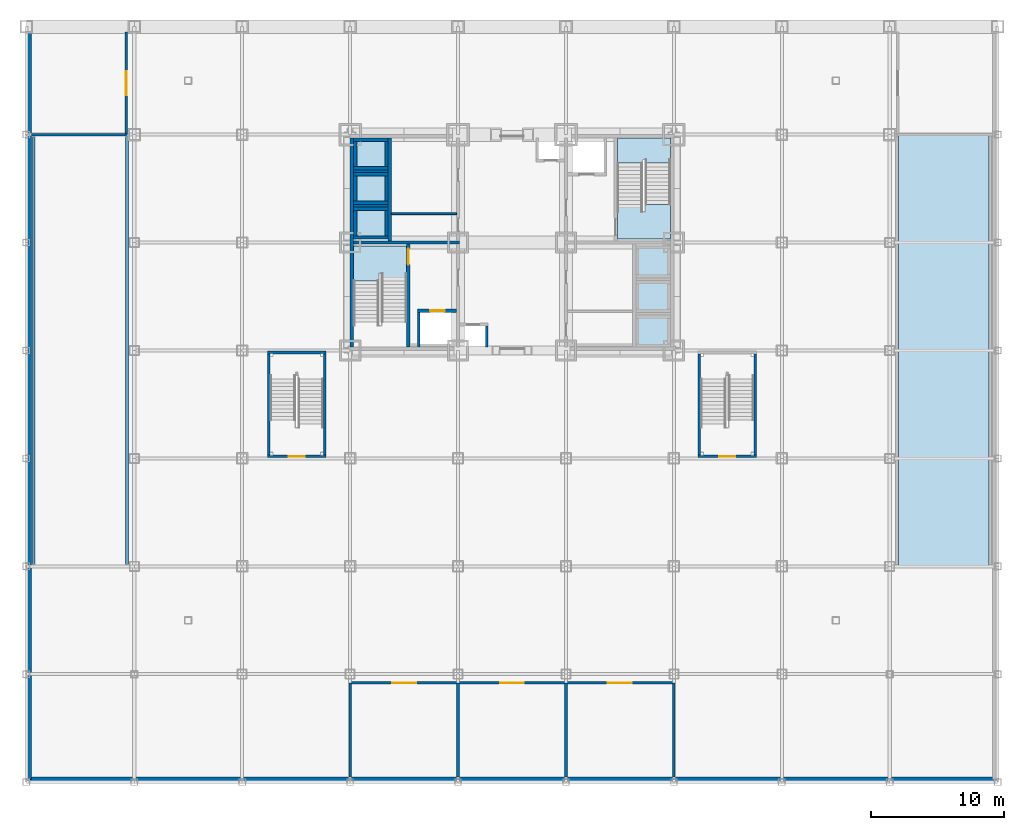
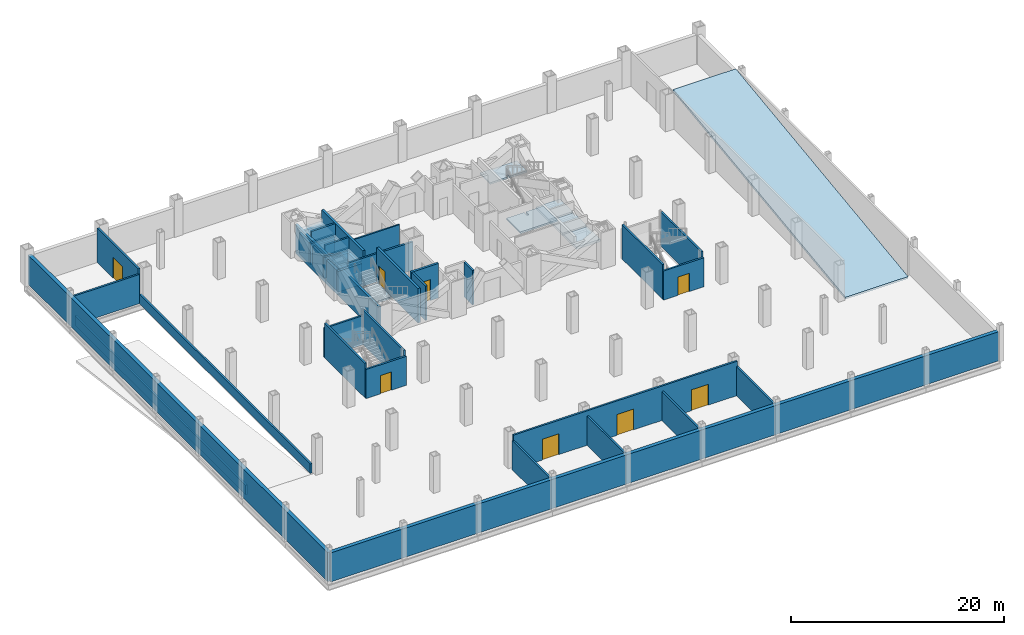
# One storey, part 11 of 14: 40 walls, 10 slabs, 8 doors, 8 openings, 2 elements without a shape of their own.
"""IFC4 building model written with IfcOpenShell, lengths in metres."""

from ifc_helpers import new_model, si_unit, direction, frame, frame_2d, origin, place, context, subcontext, project, spatial, polyline, rectangle, outline, extrude, material, layer, layer_set, type_object, element, fill, aggregate, save


model = new_model("IFC4")

# Units and contexts
model_context = context("Model", 3, precision=1e-05, world=origin(), true_north=direction((0.0, 1.0)))
body_context = subcontext(model_context, "Body", "Model", "MODEL_VIEW")
ifc_project = project(units=[si_unit("LENGTHUNIT", "METRE"), si_unit("AREAUNIT", "SQUARE_METRE"), si_unit("VOLUMEUNIT", "CUBIC_METRE"), si_unit("PLANEANGLEUNIT", "RADIAN"), si_unit("MASSUNIT", "GRAM", prefix="KILO")], contexts=[model_context])

# Site, building, storey
site_placement = place(None, origin())
site = spatial("IfcSite", under=ifc_project, at=site_placement, CompositionType="ELEMENT")
building_placement = place(site_placement, origin())
building = spatial("IfcBuilding", under=site, at=building_placement, Name="Kopane Lantern Tower", CompositionType="ELEMENT")
storey_placement = place(building_placement, frame((0.0, 0.0, -4.199951171875)))
storey = spatial("IfcBuildingStorey", under=building, at=storey_placement, Name="L-01", CompositionType="ELEMENT", Elevation=-4.199951171875)

# Slabs
ifc_material_1 = material(Name="Concrete C40/50", Category="concrete")
ifc_layer_1 = layer(ifc_material_1, 0.25)
ifc_layer_set_1 = layer_set([ifc_layer_1], Name="Concrete C40/50")
slab_type_1 = type_object("IfcSlabType", Name="CAR RAMP SLAB 250", PredefinedType="FLOOR", material=ifc_layer_set_1)
slab_1_placement = place(storey_placement, frame((57.35009765625, 40.5, 4.199951171875), z_axis=(0.0, -0.128552939869, 0.991702647799), x_axis=(1.0, 0.0, 0.0)))
element("IfcSlab", 1, at=slab_1_placement, inside=storey, type_object=slab_type_1, Name="Car park ramp slab L00", PredefinedType="FLOOR", context=body_context, shape_type="SweptSolid", body=[
    extrude(outline(polyline([(0.0, 0.0), (6.7998046875, 0.0), (6.7998046875, -32.67098501316835), (0.0, -32.67098501316835), (0.0, 0.0)])), origin(), (0.0, 0.0, -1.0), 0.25),
])
ifc_material_2 = material(Name="Concrete C40/50", Category="concrete")
ifc_layer_2 = layer(ifc_material_2, 0.300048828125)
ifc_layer_set_2 = layer_set([ifc_layer_2], Name="LIFT PIT SLAB 300")
slab_type_2 = type_object("IfcSlabType", Name="LIFT PIT SLAB 300", PredefinedType="FLOOR", material=ifc_layer_set_2)
slab_2_placement = place(storey_placement, frame((0.0, 0.0, 2.39990234375)))
element("IfcSlab", 2, at=slab_2_placement, inside=storey, type_object=slab_type_2, Name="Lift pit slab LH1", PredefinedType="FLOOR", context=body_context, shape_type="SweptSolid", body=[
    extrude(outline(polyline([(16.449951171875, 32.64990234375), (19.050048828125, 32.64990234375), (19.050048828125, 35.050048828125), (16.449951171875, 35.050048828125), (16.449951171875, 32.64990234375)])), origin(), (0.0, 0.0, 1.0), 0.300048828125),
])
slab_3_placement = place(storey_placement, frame((0.0, 0.0, 2.39990234375)))
element("IfcSlab", 3, at=slab_3_placement, inside=storey, type_object=slab_type_2, Name="Lift pit slab LH2", PredefinedType="FLOOR", context=body_context, shape_type="SweptSolid", body=[
    extrude(outline(polyline([(16.449951171875, 35.25), (19.050048828125, 35.25), (19.050048828125, 37.64990234375), (16.449951171875, 37.64990234375), (16.449951171875, 35.25)])), origin(), (0.0, 0.0, 1.0), 0.300048828125),
])
slab_4_placement = place(storey_placement, frame((0.0, 0.0, 2.39990234375)))
element("IfcSlab", 4, at=slab_4_placement, inside=storey, type_object=slab_type_2, Name="Lift pit slab LH3", PredefinedType="FLOOR", context=body_context, shape_type="SweptSolid", body=[
    extrude(outline(polyline([(16.449951171875, 37.85009765625), (19.050048828125, 37.85009765625), (19.050048828125, 40.25), (16.449951171875, 40.25), (16.449951171875, 37.85009765625)])), origin(), (0.0, 0.0, 1.0), 0.300048828125),
])
slab_5_placement = place(storey_placement, frame((0.0, 0.0, 2.39990234375)))
element("IfcSlab", 5, at=slab_5_placement, inside=storey, type_object=slab_type_2, Name="Lift pit slab LR1", PredefinedType="FLOOR", context=body_context, shape_type="SweptSolid", body=[
    extrude(outline(polyline([(37.64990234375, 24.550048828125), (40.25, 24.550048828125), (40.25, 26.949951171875), (37.64990234375, 26.949951171875), (37.64990234375, 24.550048828125)])), origin(), (0.0, 0.0, 1.0), 0.300048828125),
])
slab_6_placement = place(storey_placement, frame((0.0, 0.0, 2.39990234375)))
element("IfcSlab", 6, at=slab_6_placement, inside=storey, type_object=slab_type_2, Name="Lift pit slab LR2", PredefinedType="FLOOR", context=body_context, shape_type="SweptSolid", body=[
    extrude(outline(polyline([(37.64990234375, 27.14990234375), (40.25, 27.14990234375), (40.25, 29.550048828125), (37.64990234375, 29.550048828125), (37.64990234375, 27.14990234375)])), origin(), (0.0, 0.0, 1.0), 0.300048828125),
])
slab_7_placement = place(storey_placement, frame((0.0, 0.0, 2.39990234375)))
element("IfcSlab", 7, at=slab_7_placement, inside=storey, type_object=slab_type_2, Name="Lift pit slab LR3", PredefinedType="FLOOR", context=body_context, shape_type="SweptSolid", body=[
    extrude(outline(polyline([(37.64990234375, 29.75), (40.25, 29.75), (40.25, 32.14990234375), (37.64990234375, 32.14990234375), (37.64990234375, 29.75)])), origin(), (0.0, 0.0, 1.0), 0.300048828125),
])

# Stair, slab
ifc_material_3 = material(Name="Steel S355JR", Category="steel")
stair_type = type_object("IfcStairType", Name="EXIT STAIR 1900 HALF TURN", PredefinedType="HALF_TURN_STAIR", material=ifc_material_3)
stair_1_placement = place(storey_placement, origin())
stair_1 = element("IfcStair", 8, at=stair_1_placement, inside=storey, type_object=stair_type, Name="Exit stair ST1 L-01", PredefinedType="HALF_TURN_STAIR")
ifc_material_4 = material(Name="Concrete C40/50", Category="concrete")
ifc_layer_3 = layer(ifc_material_4, 0.199951171875)
ifc_layer_set_3 = layer_set([ifc_layer_3], Name="STAIR LANDING 200")
slab_type_3 = type_object("IfcSlabType", Name="STAIR LANDING 200", PredefinedType="LANDING", material=ifc_layer_set_3)
slab_8_placement = place(storey_placement, frame((0.0, 0.0, -0.199951171875)))
slab_8 = element("IfcSlab", 9, at=slab_8_placement, type_object=slab_type_3, Name="ST1 landing 1", PredefinedType="LANDING", context=body_context, shape_type="SweptSolid", body=[
    extrude(outline(polyline([(18.35009765625, 30.090087890625), (18.550048828125, 30.090087890625), (18.550048828125, 29.530029296875), (20.449951171875, 29.530029296875), (20.449951171875, 32.14990234375), (16.449951171875, 32.14990234375), (16.449951171875, 29.530029296875), (18.35009765625, 29.530029296875), (18.35009765625, 30.090087890625)])), origin(), (0.0, 0.0, 1.0), 0.199951171875),
])
aggregate(stair_1, [slab_8])

# Stair, slabs
stair_2_placement = place(storey_placement, origin())
stair_2 = element("IfcStair", 10, at=stair_2_placement, inside=storey, type_object=stair_type, Name="Exit stair ST2 L-01", PredefinedType="HALF_TURN_STAIR")
slab_9_placement = place(storey_placement, frame((0.0, 0.0, -0.199951171875)))
slab_9 = element("IfcSlab", 11, at=slab_9_placement, type_object=slab_type_3, Name="ST2 landing 1", PredefinedType="LANDING", context=body_context, shape_type="SweptSolid", body=[
    extrude(outline(polyline([(40.25, 35.27001953125), (38.35009765625, 35.27001953125), (38.35009765625, 34.7099609375), (38.14990234375, 34.7099609375), (38.14990234375, 35.27001953125), (36.25, 35.27001953125), (36.25, 32.64990234375), (40.25, 32.64990234375), (40.25, 35.27001953125)])), origin(), (0.0, 0.0, 1.0), 0.199951171875),
])
slab_10_placement = place(storey_placement, frame((0.0, 0.0, 1.98388671875)))
slab_10 = element("IfcSlab", 12, at=slab_10_placement, type_object=slab_type_3, Name="ST2 landing 2", PredefinedType="LANDING", context=body_context, shape_type="SweptSolid", body=[
    extrude(outline(polyline([(38.14990234375, 38.6298828125), (38.35009765625, 38.6298828125), (38.35009765625, 38.35009765625), (40.25, 38.35009765625), (40.25, 40.25), (36.25, 40.25), (36.25, 38.35009765625), (38.14990234375, 38.35009765625), (38.14990234375, 38.6298828125)])), origin(), (0.0, 0.0, 1.0), 0.199951171875),
])
aggregate(stair_2, [slab_9, slab_10])

# Walls
ifc_material_5 = material(Name="Concrete C40/50", Category="concrete")
ifc_layer_4 = layer(ifc_material_5, 0.39990234375)
ifc_layer_set_4 = layer_set([ifc_layer_4], Name="BASEMENT RETAINING WALL 400")
wall_type_1 = type_object("IfcWallType", Name="BASEMENT RETAINING WALL 400", PredefinedType="SOLIDWALL", material=ifc_layer_set_4)
wall_1_placement = place(storey_placement, frame((-7.89990234375, -7.89990234375, 0.0), z_axis=(0.0, 0.0, 1.0), x_axis=(1.0, 0.0, 0.0)))
element("IfcWall", 13, at=wall_1_placement, inside=storey, type_object=wall_type_1, Name="Basement Retaining Wall 400 L-01", PredefinedType="SOLIDWALL", context=body_context, shape_type="SweptSolid", body=[
    extrude(rectangle(XDim=72.5, YDim=0.39990234375, at=frame_2d((36.25, 0.0))), origin(), (0.0, 0.0, 1.0), 3.337646484375),
])
wall_2_placement = place(storey_placement, frame((-7.89990234375, 48.39990234375, 0.0), z_axis=(0.0, 0.0, 1.0), x_axis=(0.0, -1.0, 0.0)))
element("IfcWall", 14, at=wall_2_placement, inside=storey, type_object=wall_type_1, Name="Basement Retaining Wall 400 L-01", PredefinedType="SOLIDWALL", context=body_context, shape_type="SweptSolid", body=[
    extrude(rectangle(XDim=56.2998046875, YDim=0.39990234375, at=frame_2d((28.14990234375, 0.0))), origin(), (0.0, 0.0, 1.0), 3.337646484375),
])
ifc_material_6 = material(Name="Gypsum partition EI 60", Category="gypsum")
ifc_layer_5 = layer(ifc_material_6, 0.14990234375)
ifc_layer_set_5 = layer_set([ifc_layer_5], Name="CORE ROOM PARTITION 150 EI 60")
wall_type_2 = type_object("IfcWallType", Name="CORE ROOM PARTITION 150 EI 60", PredefinedType="PARTITIONING", material=ifc_layer_set_5)
wall_3_placement = place(storey_placement, frame((19.300048828125, 34.574951171875, 0.0), z_axis=(0.0, 0.0, 1.0), x_axis=(1.0, 0.0, 0.0)))
element("IfcWall", 15, at=wall_3_placement, inside=storey, type_object=wall_type_2, Name="Core room partition L-01 WL1", PredefinedType="PARTITIONING", context=body_context, shape_type="SweptSolid", body=[
    extrude(rectangle(XDim=4.89990234375, YDim=0.14990234375, at=frame_2d((2.449951171875, 0.0))), origin(), (0.0, 0.0, 1.0), 3.949951171875),
])
ifc_material_7 = material(Name="Gypsum shaft wall EI 120", Category="gypsum")
ifc_layer_6 = layer(ifc_material_7, 0.25)
ifc_layer_set_6 = layer_set([ifc_layer_6], Name="CORE SHAFT WALL 250 EI 120")
wall_type_3 = type_object("IfcWallType", Name="CORE SHAFT WALL 250 EI 120", PredefinedType="SOLIDWALL", material=ifc_layer_set_6)
wall_4_placement = place(storey_placement, frame((16.324951171875, 24.550048828125, 0.0), z_axis=(0.0, 0.0, 1.0), x_axis=(0.0, 1.0, 0.0)))
element("IfcWall", 16, at=wall_4_placement, inside=storey, type_object=wall_type_3, Name="Core shaft wall L-01 PW", PredefinedType="SOLIDWALL", context=body_context, shape_type="SweptSolid", body=[
    extrude(rectangle(XDim=15.699951171875, YDim=0.25, at=frame_2d((7.85009765625, 0.0))), origin(), (0.0, 0.0, 1.0), 3.337646484375),
])

# Wall, opening, door
wall_5_placement = place(storey_placement, frame((20.574951171875, 24.550048828125, 0.0), z_axis=(0.0, 0.0, 1.0), x_axis=(0.0, 1.0, 0.0)))
wall_5 = element("IfcWall", 17, at=wall_5_placement, inside=storey, type_object=wall_type_3, Name="Core shaft wall L-01 XST1", PredefinedType="SOLIDWALL", context=body_context, shape_type="SweptSolid", body=[
    extrude(rectangle(XDim=7.75, YDim=0.25, at=frame_2d((3.875, 0.0))), origin(), (0.0, 0.0, 1.0), 3.949951171875),
])
opening_1_placement = place(wall_5_placement, frame((6.199951171875, 0.0, 0.0)))
opening_1 = element("IfcOpeningElement", 18, at=opening_1_placement, cuts=wall_5, Name="Opening L-01.SD1", PredefinedType="OPENING", context=body_context, shape_type="SweptSolid", body=[
    extrude(rectangle(XDim=1.199951171875, YDim=2.10009765625, at=frame_2d((0.60009765625, 1.050048828125))), frame((0.0, 0.135009765625, 0.0), z_axis=(0.0, -1.0, 0.0), x_axis=(1.0, 0.0, 0.0)), (0.0, 0.0, 1.0), 0.27001953125),
])
ifc_material_8 = material(Name="Steel door set", Category="steel")
door_type_1 = type_object("IfcDoorType", Name="STAIR DOOR 1200x2100 FD60S", OperationType="SINGLE_SWING_LEFT", PredefinedType="DOOR", material=ifc_material_8)
door_1_placement = place(opening_1_placement, origin())
door_1 = element("IfcDoor", 19, at=door_1_placement, inside=storey, type_object=door_type_1, Name="Stair door ST1 L-01", OperationType="SINGLE_SWING_LEFT", OverallHeight=2.10009765625, OverallWidth=1.199951171875, PredefinedType="DOOR", context=body_context, shape_type="SweptSolid", body=[
    extrude(rectangle(XDim=1.199951171875, YDim=2.10009765625, at=frame_2d((0.60009765625, 1.050048828125))), frame((0.0, 0.02490234375, 0.0), z_axis=(0.0, -1.0, 0.0), x_axis=(1.0, 0.0, 0.0)), (0.0, 0.0, 1.0), 0.050048828125),
])
fill(opening_1, door_1)

wall_6_placement = place(storey_placement, frame((21.25, 27.27490234375, 0.0), z_axis=(0.0, 0.0, 1.0), x_axis=(1.0, 0.0, 0.0)))
wall_6 = element("IfcWall", 20, at=wall_6_placement, inside=storey, type_object=wall_type_3, Name="Core shaft wall L-01 YLF1", PredefinedType="SOLIDWALL", context=body_context, shape_type="SweptSolid", body=[
    extrude(rectangle(XDim=2.949951171875, YDim=0.25, at=frame_2d((1.47509765625, 0.0))), origin(), (0.0, 0.0, 1.0), 3.949951171875),
])
opening_2_placement = place(wall_6_placement, frame((0.949951171875, 0.0, 0.0)))
opening_2 = element("IfcOpeningElement", 21, at=opening_2_placement, cuts=wall_6, Name="Opening L-01.LD-LF1", PredefinedType="OPENING", context=body_context, shape_type="SweptSolid", body=[
    extrude(rectangle(XDim=1.10009765625, YDim=2.39990234375, at=frame_2d((0.550048828125, 1.199951171875))), frame((0.0, 0.135009765625, 0.0), z_axis=(0.0, -1.0, 0.0), x_axis=(1.0, 0.0, 0.0)), (0.0, 0.0, 1.0), 0.27001953125),
])
ifc_material_9 = material(Name="Steel door set", Category="steel")
door_type_2 = type_object("IfcDoorType", Name="LIFT LANDING DOOR 1100x2400 FD60", OperationType="DOUBLE_DOOR_SLIDING", PredefinedType="DOOR", material=ifc_material_9)
door_2_placement = place(opening_2_placement, origin())
door_2 = element("IfcDoor", 22, at=door_2_placement, inside=storey, type_object=door_type_2, Name="Landing door LF1 L-01", OperationType="DOUBLE_DOOR_SLIDING", OverallHeight=2.39990234375, OverallWidth=1.10009765625, PredefinedType="DOOR", context=body_context, shape_type="SweptSolid", body=[
    extrude(rectangle(XDim=1.10009765625, YDim=2.39990234375, at=frame_2d((0.550048828125, 1.199951171875))), frame((0.0, 0.02490234375, 0.0), z_axis=(0.0, -1.0, 0.0), x_axis=(1.0, 0.0, 0.0)), (0.0, 0.0, 1.0), 0.050048828125),
])
fill(opening_2, door_2)

# Walls
wall_7_placement = place(storey_placement, frame((19.175048828125, 32.5, 0.0), z_axis=(0.0, 0.0, 1.0), x_axis=(0.0, 1.0, 0.0)))
element("IfcWall", 23, at=wall_7_placement, inside=storey, type_object=wall_type_3, Name="Core shaft wall L-01 XLH", PredefinedType="SOLIDWALL", context=body_context, shape_type="SweptSolid", body=[
    extrude(rectangle(XDim=7.75, YDim=0.25, at=frame_2d((3.875, 0.0))), origin(), (0.0, 0.0, 1.0), 3.949951171875),
])
ifc_material_10 = material(Name="Concrete C40/50", Category="concrete")
ifc_layer_7 = layer(ifc_material_10, 0.25)
ifc_layer_set_7 = layer_set([ifc_layer_7], Name="LIFT PIT WALL 250")
wall_type_4 = type_object("IfcWallType", Name="LIFT PIT WALL 250", PredefinedType="SOLIDWALL", material=ifc_layer_set_7)
for number, where, z_axis, x_axis, name in (
    (24, (16.449951171875, 32.77490234375, 0.0), (0.0, 0.0, 1.0), (1.0, 0.0, 0.0), "Lift pit wall LH1 S"),
    (25, (16.449951171875, 34.925048828125, 0.0), (0.0, 0.0, 1.0), (1.0, 0.0, 0.0), "Lift pit wall LH1 N"),
):
    element("IfcWall", number, at=place(storey_placement, frame(where, z_axis=z_axis, x_axis=x_axis)), inside=storey, type_object=wall_type_4, Name=name, PredefinedType="SOLIDWALL", context=body_context, shape_type="SweptSolid", body=[
        extrude(rectangle(XDim=2.60009765625, YDim=0.25, at=frame_2d((1.300048828125, 0.0))), origin(), (0.0, 0.0, 1.0), 2.39990234375),
    ])
for number, where, z_axis, x_axis, name in (
    (26, (16.574951171875, 32.89990234375, 0.0), (0.0, 0.0, 1.0), (0.0, 1.0, 0.0), "Lift pit wall LH1 W"),
    (27, (18.925048828125, 32.89990234375, 0.0), (0.0, 0.0, 1.0), (0.0, 1.0, 0.0), "Lift pit wall LH1 E"),
):
    element("IfcWall", number, at=place(storey_placement, frame(where, z_axis=z_axis, x_axis=x_axis)), inside=storey, type_object=wall_type_4, Name=name, PredefinedType="SOLIDWALL", context=body_context, shape_type="SweptSolid", body=[
        extrude(rectangle(XDim=1.900146484375, YDim=0.25, at=frame_2d((0.9501953125, 0.0))), origin(), (0.0, 0.0, 1.0), 2.39990234375),
    ])
for number, where, z_axis, x_axis, name in (
    (28, (16.449951171875, 35.375, 0.0), (0.0, 0.0, 1.0), (1.0, 0.0, 0.0), "Lift pit wall LH2 S"),
    (29, (16.449951171875, 37.52490234375, 0.0), (0.0, 0.0, 1.0), (1.0, 0.0, 0.0), "Lift pit wall LH2 N"),
):
    element("IfcWall", number, at=place(storey_placement, frame(where, z_axis=z_axis, x_axis=x_axis)), inside=storey, type_object=wall_type_4, Name=name, PredefinedType="SOLIDWALL", context=body_context, shape_type="SweptSolid", body=[
        extrude(rectangle(XDim=2.60009765625, YDim=0.25, at=frame_2d((1.300048828125, 0.0))), origin(), (0.0, 0.0, 1.0), 2.39990234375),
    ])
for number, where, z_axis, x_axis, name in (
    (30, (16.574951171875, 35.5, 0.0), (0.0, 0.0, 1.0), (0.0, 1.0, 0.0), "Lift pit wall LH2 W"),
    (31, (18.925048828125, 35.5, 0.0), (0.0, 0.0, 1.0), (0.0, 1.0, 0.0), "Lift pit wall LH2 E"),
):
    element("IfcWall", number, at=place(storey_placement, frame(where, z_axis=z_axis, x_axis=x_axis)), inside=storey, type_object=wall_type_4, Name=name, PredefinedType="SOLIDWALL", context=body_context, shape_type="SweptSolid", body=[
        extrude(rectangle(XDim=1.89990234375, YDim=0.25, at=frame_2d((0.949951171875, 0.0))), origin(), (0.0, 0.0, 1.0), 2.39990234375),
    ])
for number, where, z_axis, x_axis, name in (
    (32, (16.449951171875, 37.97509765625, 0.0), (0.0, 0.0, 1.0), (1.0, 0.0, 0.0), "Lift pit wall LH3 S"),
    (33, (16.449951171875, 40.125, 0.0), (0.0, 0.0, 1.0), (1.0, 0.0, 0.0), "Lift pit wall LH3 N"),
):
    element("IfcWall", number, at=place(storey_placement, frame(where, z_axis=z_axis, x_axis=x_axis)), inside=storey, type_object=wall_type_4, Name=name, PredefinedType="SOLIDWALL", context=body_context, shape_type="SweptSolid", body=[
        extrude(rectangle(XDim=2.60009765625, YDim=0.25, at=frame_2d((1.300048828125, 0.0))), origin(), (0.0, 0.0, 1.0), 2.39990234375),
    ])
for number, where, z_axis, x_axis, name in (
    (34, (16.574951171875, 38.10009765625, 0.0), (0.0, 0.0, 1.0), (0.0, 1.0, 0.0), "Lift pit wall LH3 W"),
    (35, (18.925048828125, 38.10009765625, 0.0), (0.0, 0.0, 1.0), (0.0, 1.0, 0.0), "Lift pit wall LH3 E"),
):
    element("IfcWall", number, at=place(storey_placement, frame(where, z_axis=z_axis, x_axis=x_axis)), inside=storey, type_object=wall_type_4, Name=name, PredefinedType="SOLIDWALL", context=body_context, shape_type="SweptSolid", body=[
        extrude(rectangle(XDim=1.89990234375, YDim=0.25, at=frame_2d((0.949951171875, 0.0))), origin(), (0.0, 0.0, 1.0), 2.39990234375),
    ])

# Wall, openings, doors
ifc_material_11 = material(Name="Concrete masonry", Category="masonry")
ifc_layer_8 = layer(ifc_material_11, 0.199951171875)
ifc_layer_set_8 = layer_set([ifc_layer_8], Name="PLANT ROOM WALL 200 EI 120")
wall_type_5 = type_object("IfcWallType", Name="PLANT ROOM WALL 200 EI 120", PredefinedType="SOLIDWALL", material=ifc_layer_set_8)
wall_8_placement = place(storey_placement, frame((16.199951171875, -0.64990234375, 0.0), z_axis=(0.0, 0.0, 1.0), x_axis=(1.0, 0.0, 0.0)))
wall_8 = element("IfcWall", 36, at=wall_8_placement, inside=storey, type_object=wall_type_5, Name="Plant Room Wall 200 Ei 120 L-01", PredefinedType="SOLIDWALL", context=body_context, shape_type="SweptSolid", body=[
    extrude(rectangle(XDim=24.300048828125, YDim=0.199951171875, at=frame_2d((12.14990234375, 0.0))), origin(), (0.0, 0.0, 1.0), 3.949951171875),
])
opening_3_placement = place(wall_8_placement, frame((3.14990234375, 0.0, 0.0)))
opening_3 = element("IfcOpeningElement", 37, at=opening_3_placement, cuts=wall_8, Name="Opening L-01-001", PredefinedType="OPENING", context=body_context, shape_type="SweptSolid", body=[
    extrude(rectangle(XDim=1.800048828125, YDim=2.39990234375, at=frame_2d((0.89990234375, 1.199951171875))), frame((0.0, 0.10986328125, 0.0), z_axis=(0.0, -1.0, 0.0), x_axis=(1.0, 0.0, 0.0)), (0.0, 0.0, 1.0), 0.219970703125),
])
opening_4_placement = place(wall_8_placement, frame((11.25, 0.0, 0.0)))
opening_4 = element("IfcOpeningElement", 38, at=opening_4_placement, cuts=wall_8, Name="Opening L-01-002", PredefinedType="OPENING", context=body_context, shape_type="SweptSolid", body=[
    extrude(rectangle(XDim=1.800048828125, YDim=2.39990234375, at=frame_2d((0.89990234375, 1.199951171875))), frame((0.0, 0.10986328125, 0.0), z_axis=(0.0, -1.0, 0.0), x_axis=(1.0, 0.0, 0.0)), (0.0, 0.0, 1.0), 0.219970703125),
])
opening_5_placement = place(wall_8_placement, frame((19.35009765625, 0.0, 0.0)))
opening_5 = element("IfcOpeningElement", 39, at=opening_5_placement, cuts=wall_8, Name="Opening L-01-003", PredefinedType="OPENING", context=body_context, shape_type="SweptSolid", body=[
    extrude(rectangle(XDim=1.800048828125, YDim=2.39990234375, at=frame_2d((0.89990234375, 1.199951171875))), frame((0.0, 0.10986328125, 0.0), z_axis=(0.0, -1.0, 0.0), x_axis=(1.0, 0.0, 0.0)), (0.0, 0.0, 1.0), 0.219970703125),
])
ifc_material_12 = material(Name="Steel door set", Category="steel")
door_type_3 = type_object("IfcDoorType", Name="DOOR D8 1800x2400 FD120", OperationType="SINGLE_SWING_LEFT", PredefinedType="DOOR", material=ifc_material_12)
door_3_placement = place(opening_3_placement, origin())
door_3 = element("IfcDoor", 40, at=door_3_placement, inside=storey, type_object=door_type_3, Name="Door L-01-001", OperationType="DOUBLE_DOOR_SINGLE_SWING", OverallHeight=2.39990234375, OverallWidth=1.800048828125, PredefinedType="DOOR", context=body_context, shape_type="SweptSolid", body=[
    extrude(rectangle(XDim=1.800048828125, YDim=2.39990234375, at=frame_2d((0.89990234375, 1.199951171875))), frame((0.0, 0.02490234375, 0.0), z_axis=(0.0, -1.0, 0.0), x_axis=(1.0, 0.0, 0.0)), (0.0, 0.0, 1.0), 0.050048828125),
])
fill(opening_3, door_3)
door_4_placement = place(opening_4_placement, origin())
door_4 = element("IfcDoor", 41, at=door_4_placement, inside=storey, type_object=door_type_3, Name="Door L-01-002", OperationType="DOUBLE_DOOR_SINGLE_SWING", OverallHeight=2.39990234375, OverallWidth=1.800048828125, PredefinedType="DOOR", context=body_context, shape_type="SweptSolid", body=[
    extrude(rectangle(XDim=1.800048828125, YDim=2.39990234375, at=frame_2d((0.89990234375, 1.199951171875))), frame((0.0, 0.02490234375, 0.0), z_axis=(0.0, -1.0, 0.0), x_axis=(1.0, 0.0, 0.0)), (0.0, 0.0, 1.0), 0.050048828125),
])
fill(opening_4, door_4)
door_5_placement = place(opening_5_placement, origin())
door_5 = element("IfcDoor", 42, at=door_5_placement, inside=storey, type_object=door_type_3, Name="Door L-01-003", OperationType="DOUBLE_DOOR_SINGLE_SWING", OverallHeight=2.39990234375, OverallWidth=1.800048828125, PredefinedType="DOOR", context=body_context, shape_type="SweptSolid", body=[
    extrude(rectangle(XDim=1.800048828125, YDim=2.39990234375, at=frame_2d((0.89990234375, 1.199951171875))), frame((0.0, 0.02490234375, 0.0), z_axis=(0.0, -1.0, 0.0), x_axis=(1.0, 0.0, 0.0)), (0.0, 0.0, 1.0), 0.050048828125),
])
fill(opening_5, door_5)

# Walls
for number, where, z_axis, x_axis, name in (
    (43, (16.199951171875, -7.699951171875, 0.0), (0.0, 0.0, 1.0), (0.0, 1.0, 0.0), "Plant Room Wall 200 Ei 120 L-01"),
    (44, (24.300048828125, -7.699951171875, 0.0), (0.0, 0.0, 1.0), (0.0, 1.0, 0.0), "Plant Room Wall 200 Ei 120 L-01"),
    (45, (32.39990234375, -7.699951171875, 0.0), (0.0, 0.0, 1.0), (0.0, 1.0, 0.0), "Plant Room Wall 200 Ei 120 L-01"),
    (46, (40.5, -7.699951171875, 0.0), (0.0, 0.0, 1.0), (0.0, 1.0, 0.0), "Plant Room Wall 200 Ei 120 L-01"),
):
    element("IfcWall", number, at=place(storey_placement, frame(where, z_axis=z_axis, x_axis=x_axis)), inside=storey, type_object=wall_type_5, Name=name, PredefinedType="SOLIDWALL", context=body_context, shape_type="SweptSolid", body=[
        extrude(rectangle(XDim=7.050048828125, YDim=0.199951171875, at=frame_2d((3.52490234375, 0.0))), origin(), (0.0, 0.0, 1.0), 3.337646484375),
    ])
wall_9_placement = place(storey_placement, frame((-7.699951171875, 40.5, 0.0), z_axis=(0.0, 0.0, 1.0), x_axis=(1.0, 0.0, 0.0)))
element("IfcWall", 47, at=wall_9_placement, inside=storey, type_object=wall_type_5, Name="Plant Room Wall 200 Ei 120 L-01", PredefinedType="SOLIDWALL", context=body_context, shape_type="SweptSolid", body=[
    extrude(rectangle(XDim=7.099853515625, YDim=0.199951171875, at=frame_2d((3.5498046875, 0.0))), origin(), (0.0, 0.0, 1.0), 3.337646484375),
])

# Wall, opening, door
wall_10_placement = place(storey_placement, frame((-0.60009765625, 40.5, 0.0), z_axis=(0.0, 0.0, 1.0), x_axis=(0.0, 1.0, 0.0)))
wall_10 = element("IfcWall", 48, at=wall_10_placement, inside=storey, type_object=wall_type_5, Name="Plant Room Wall 200 Ei 120 L-01", PredefinedType="SOLIDWALL", context=body_context, shape_type="SweptSolid", body=[
    extrude(rectangle(XDim=7.699951171875, YDim=0.199951171875, at=frame_2d((3.85009765625, 0.0))), origin(), (0.0, 0.0, 1.0), 3.949951171875),
])
opening_6_placement = place(wall_10_placement, frame((2.949951171875, 0.0, 0.0)))
opening_6 = element("IfcOpeningElement", 49, at=opening_6_placement, cuts=wall_10, Name="Opening L-01-004", PredefinedType="OPENING", context=body_context, shape_type="SweptSolid", body=[
    extrude(rectangle(XDim=1.800048828125, YDim=2.39990234375, at=frame_2d((0.89990234375, 1.199951171875))), frame((0.0, 0.10986328125, 0.0), z_axis=(0.0, -1.0, 0.0), x_axis=(1.0, 0.0, 0.0)), (0.0, 0.0, 1.0), 0.219970703125),
])
door_6_placement = place(opening_6_placement, origin())
door_6 = element("IfcDoor", 50, at=door_6_placement, inside=storey, type_object=door_type_3, Name="Door L-01-004", OperationType="DOUBLE_DOOR_SINGLE_SWING", OverallHeight=2.39990234375, OverallWidth=1.800048828125, PredefinedType="DOOR", context=body_context, shape_type="SweptSolid", body=[
    extrude(rectangle(XDim=1.800048828125, YDim=2.39990234375, at=frame_2d((0.89990234375, 1.199951171875))), frame((0.0, 0.02490234375, 0.0), z_axis=(0.0, -1.0, 0.0), x_axis=(1.0, 0.0, 0.0)), (0.0, 0.0, 1.0), 0.050048828125),
])
fill(opening_6, door_6)

# Walls
ifc_material_13 = material(Name="Concrete C40/50", Category="concrete")
ifc_layer_9 = layer(ifc_material_13, 0.199951171875)
ifc_layer_set_9 = layer_set([ifc_layer_9], Name="Concrete C40/50")
wall_type_6 = type_object("IfcWallType", Name="RAMP SIDE WALL 200", PredefinedType="PARTITIONING", material=ifc_layer_set_9)
for number, where, z_axis, x_axis, name in (
    (51, (-0.550048828125, 8.25, 0.0), (0.0, 0.0, 1.0), (0.0, 1.0, 0.0), "Ramp side wall L-01 L-01"),
    (52, (-7.550048828125, 8.25, 0.0), (0.0, 0.0, 1.0), (0.0, 1.0, 0.0), "Ramp side wall L-01 L-01"),
):
    element("IfcWall", number, at=place(storey_placement, frame(where, z_axis=z_axis, x_axis=x_axis)), inside=storey, type_object=wall_type_6, Name=name, PredefinedType="PARTITIONING", context=body_context, shape_type="SweptSolid", body=[
        extrude(rectangle(XDim=32.10009765625, YDim=0.199951171875, at=frame_2d((16.050048828125, 0.0))), origin(), (0.0, 0.0, 1.0), 1.099853515625),
    ])
ifc_material_14 = material(Name="Gypsum shaft wall EI 120", Category="gypsum")
ifc_layer_10 = layer(ifc_material_14, 0.199951171875)
ifc_layer_set_10 = layer_set([ifc_layer_10], Name="SHAFT WALL 200 EI 120")
wall_type_7 = type_object("IfcWallType", Name="SHAFT WALL 200 EI 120", PredefinedType="SOLIDWALL", material=ifc_layer_set_10)
wall_11_placement = place(storey_placement, frame((16.449951171875, 32.39990234375, 0.0), z_axis=(0.0, 0.0, 1.0), x_axis=(1.0, 0.0, 0.0)))
element("IfcWall", 53, at=wall_11_placement, inside=storey, type_object=wall_type_7, Name="Core shaft wall L-01 Y324W", PredefinedType="SOLIDWALL", context=body_context, shape_type="SweptSolid", body=[
    extrude(rectangle(XDim=7.949951171875, YDim=0.199951171875, at=frame_2d((3.97509765625, 0.0))), origin(), (0.0, 0.0, 1.0), 3.25),
])
wall_12_placement = place(storey_placement, frame((21.35009765625, 24.550048828125, 0.0), z_axis=(0.0, 0.0, 1.0), x_axis=(0.0, 1.0, 0.0)))
element("IfcWall", 54, at=wall_12_placement, inside=storey, type_object=wall_type_7, Name="Core shaft wall L-01 XLF1", PredefinedType="SOLIDWALL", context=body_context, shape_type="SweptSolid", body=[
    extrude(rectangle(XDim=2.599853515625, YDim=0.199951171875, at=frame_2d((1.2998046875, 0.0))), origin(), (0.0, 0.0, 1.0), 3.949951171875),
])
for number, where, z_axis, x_axis, name in (
    (55, (16.449951171875, 35.14990234375, 0.0), (0.0, 0.0, 1.0), (1.0, 0.0, 0.0), "Core shaft wall L-01 YLH12"),
    (56, (16.449951171875, 37.75, 0.0), (0.0, 0.0, 1.0), (1.0, 0.0, 0.0), "Core shaft wall L-01 YLH23"),
):
    element("IfcWall", number, at=place(storey_placement, frame(where, z_axis=z_axis, x_axis=x_axis)), inside=storey, type_object=wall_type_7, Name=name, PredefinedType="SOLIDWALL", context=body_context, shape_type="SweptSolid", body=[
        extrude(rectangle(XDim=2.60009765625, YDim=0.199951171875, at=frame_2d((1.300048828125, 0.0))), origin(), (0.0, 0.0, 1.0), 3.949951171875),
    ])
wall_13_placement = place(storey_placement, frame((26.449951171875, 24.550048828125, 0.0), z_axis=(0.0, 0.0, 1.0), x_axis=(0.0, 1.0, 0.0)))
element("IfcWall", 57, at=wall_13_placement, inside=storey, type_object=wall_type_7, Name="Core shaft wall L-01 XRS1", PredefinedType="SOLIDWALL", context=body_context, shape_type="SweptSolid", body=[
    extrude(rectangle(XDim=1.599853515625, YDim=0.199951171875, at=frame_2d((0.7998046875, 0.0))), origin(), (0.0, 0.0, 1.0), 3.949951171875),
])

# Wall, opening, door
wall_14_placement = place(storey_placement, frame((10.0, 16.35009765625, 0.0), z_axis=(0.0, 0.0, 1.0), x_axis=(1.0, 0.0, 0.0)))
wall_14 = element("IfcWall", 58, at=wall_14_placement, inside=storey, type_object=wall_type_7, Name="Stair enclosure wall ST3 L-01", PredefinedType="SOLIDWALL", context=body_context, shape_type="SweptSolid", body=[
    extrude(rectangle(XDim=4.39990234375, YDim=0.199951171875, at=frame_2d((2.199951171875, 0.0))), origin(), (0.0, 0.0, 1.0), 3.337646484375),
])
opening_7_placement = place(wall_14_placement, frame((1.60009765625, 0.0, 0.0)))
opening_7 = element("IfcOpeningElement", 59, at=opening_7_placement, cuts=wall_14, Name="Opening L-01.SD3", PredefinedType="OPENING", context=body_context, shape_type="SweptSolid", body=[
    extrude(rectangle(XDim=1.199951171875, YDim=2.10009765625, at=frame_2d((0.60009765625, 1.050048828125))), frame((0.0, 0.10986328125, 0.0), z_axis=(0.0, -1.0, 0.0), x_axis=(1.0, 0.0, 0.0)), (0.0, 0.0, 1.0), 0.219970703125),
])
door_7_placement = place(opening_7_placement, origin())
door_7 = element("IfcDoor", 60, at=door_7_placement, inside=storey, type_object=door_type_1, Name="Stair door ST3 L-01", OperationType="SINGLE_SWING_LEFT", OverallHeight=2.10009765625, OverallWidth=1.199951171875, PredefinedType="DOOR", context=body_context, shape_type="SweptSolid", body=[
    extrude(rectangle(XDim=1.199951171875, YDim=2.10009765625, at=frame_2d((0.60009765625, 1.050048828125))), frame((0.0, 0.02490234375, 0.0), z_axis=(0.0, -1.0, 0.0), x_axis=(1.0, 0.0, 0.0)), (0.0, 0.0, 1.0), 0.050048828125),
])
fill(opening_7, door_7)

# Walls
wall_15_placement = place(storey_placement, frame((10.0, 24.14990234375, 0.0), z_axis=(0.0, 0.0, 1.0), x_axis=(1.0, 0.0, 0.0)))
element("IfcWall", 61, at=wall_15_placement, inside=storey, type_object=wall_type_7, Name="Stair enclosure wall ST3 L-01", PredefinedType="SOLIDWALL", context=body_context, shape_type="SweptSolid", body=[
    extrude(rectangle(XDim=4.39990234375, YDim=0.199951171875, at=frame_2d((2.199951171875, 0.0))), origin(), (0.0, 0.0, 1.0), 3.337646484375),
])
for number, where, z_axis, x_axis, name in (
    (62, (10.10009765625, 16.449951171875, 0.0), (0.0, 0.0, 1.0), (0.0, 1.0, 0.0), "Stair enclosure wall ST3 L-01"),
    (63, (14.300048828125, 16.449951171875, 0.0), (0.0, 0.0, 1.0), (0.0, 1.0, 0.0), "Stair enclosure wall ST3 L-01"),
):
    element("IfcWall", number, at=place(storey_placement, frame(where, z_axis=z_axis, x_axis=x_axis)), inside=storey, type_object=wall_type_7, Name=name, PredefinedType="SOLIDWALL", context=body_context, shape_type="SweptSolid", body=[
        extrude(rectangle(XDim=7.60009765625, YDim=0.199951171875, at=frame_2d((3.800048828125, 0.0))), origin(), (0.0, 0.0, 1.0), 3.949951171875),
    ])

# Wall, opening, door
wall_16_placement = place(storey_placement, frame((42.300048828125, 16.35009765625, 0.0), z_axis=(0.0, 0.0, 1.0), x_axis=(1.0, 0.0, 0.0)))
wall_16 = element("IfcWall", 64, at=wall_16_placement, inside=storey, type_object=wall_type_7, Name="Stair enclosure wall ST4 L-01", PredefinedType="SOLIDWALL", context=body_context, shape_type="SweptSolid", body=[
    extrude(rectangle(XDim=4.39990234375, YDim=0.199951171875, at=frame_2d((2.199951171875, 0.0))), origin(), (0.0, 0.0, 1.0), 3.337646484375),
])
opening_8_placement = place(wall_16_placement, frame((1.60009765625, 0.0, 0.0)))
opening_8 = element("IfcOpeningElement", 65, at=opening_8_placement, cuts=wall_16, Name="Opening L-01.SD4", PredefinedType="OPENING", context=body_context, shape_type="SweptSolid", body=[
    extrude(rectangle(XDim=1.199951171875, YDim=2.10009765625, at=frame_2d((0.60009765625, 1.050048828125))), frame((0.0, 0.10986328125, 0.0), z_axis=(0.0, -1.0, 0.0), x_axis=(1.0, 0.0, 0.0)), (0.0, 0.0, 1.0), 0.219970703125),
])
door_8_placement = place(opening_8_placement, origin())
door_8 = element("IfcDoor", 66, at=door_8_placement, inside=storey, type_object=door_type_1, Name="Stair door ST4 L-01", OperationType="SINGLE_SWING_LEFT", OverallHeight=2.10009765625, OverallWidth=1.199951171875, PredefinedType="DOOR", context=body_context, shape_type="SweptSolid", body=[
    extrude(rectangle(XDim=1.199951171875, YDim=2.10009765625, at=frame_2d((0.60009765625, 1.050048828125))), frame((0.0, 0.02490234375, 0.0), z_axis=(0.0, -1.0, 0.0), x_axis=(1.0, 0.0, 0.0)), (0.0, 0.0, 1.0), 0.050048828125),
])
fill(opening_8, door_8)

# Walls
for number, where, z_axis, x_axis, name in (
    (67, (42.39990234375, 16.449951171875, 0.0), (0.0, 0.0, 1.0), (0.0, 1.0, 0.0), "Stair enclosure wall ST4 L-01"),
    (68, (46.60009765625, 16.449951171875, 0.0), (0.0, 0.0, 1.0), (0.0, 1.0, 0.0), "Stair enclosure wall ST4 L-01"),
):
    element("IfcWall", number, at=place(storey_placement, frame(where, z_axis=z_axis, x_axis=x_axis)), inside=storey, type_object=wall_type_7, Name=name, PredefinedType="SOLIDWALL", context=body_context, shape_type="SweptSolid", body=[
        extrude(rectangle(XDim=7.60009765625, YDim=0.199951171875, at=frame_2d((3.800048828125, 0.0))), origin(), (0.0, 0.0, 1.0), 3.949951171875),
    ])

save(model, "model.ifc")
